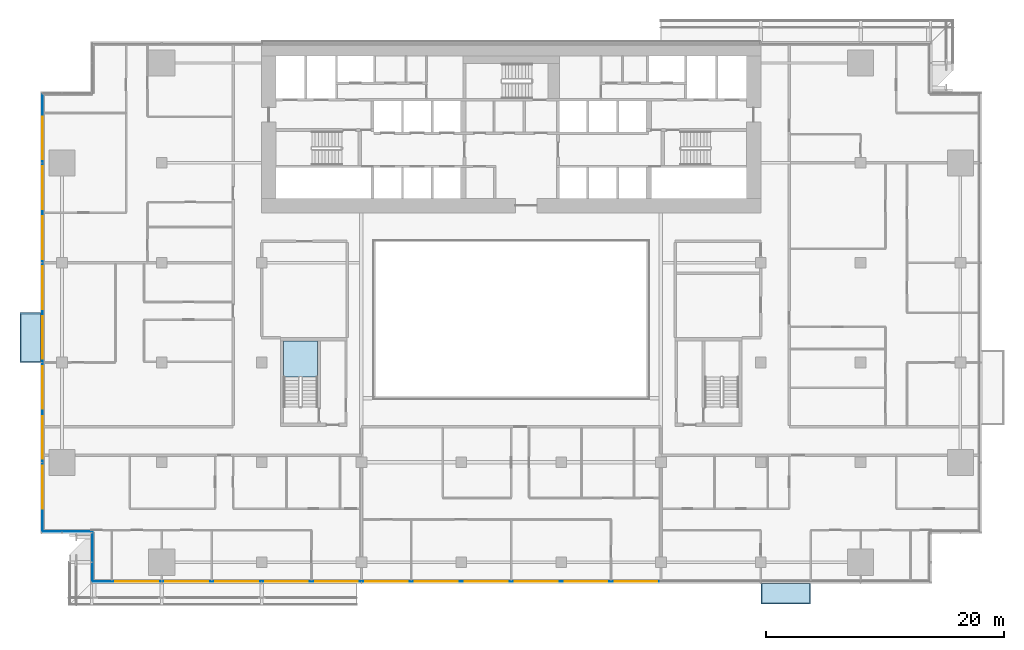
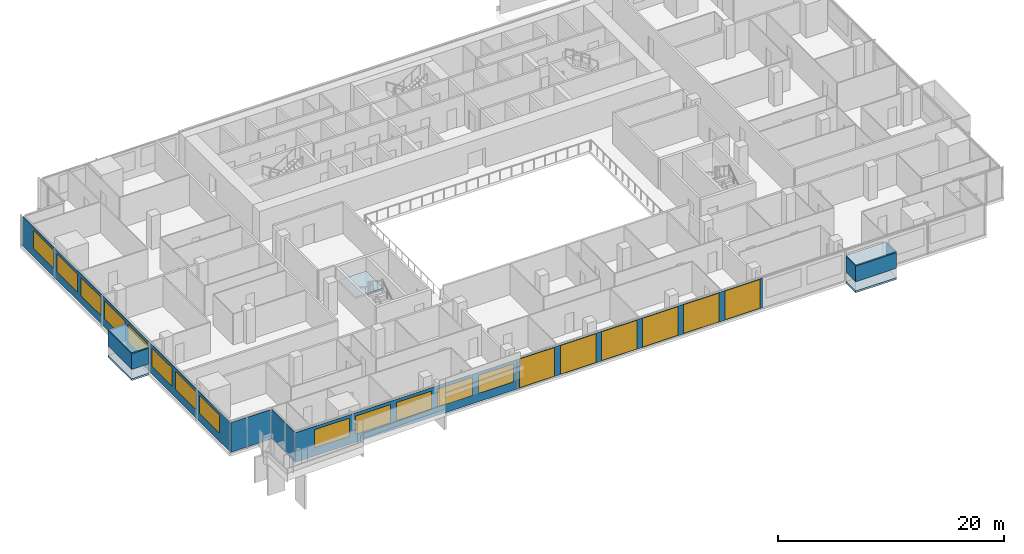
# One storey, part 14 of 29: 19 windows, 9 plates, 3 slabs, 19 openings, 5 elements without a shape of their own.
"""IFC4 building model written with IfcOpenShell, lengths in metres."""

import ifcopenshell
import ifcopenshell.guid

model = None  # the IFC model being written
_history = None  # IfcOwnerHistory: only IFC2X3 demands one
_inside = {}  # id of a spatial element -> (the spatial element, [elements in it])
_under = {}  # id of a project, library or spatial element -> (it, [spatial elements below it])
_declared = {}  # id of a project -> (the project, [libraries it declares])
_typed = {}  # id of a type object -> (the type object, [elements of that type])
_made_of = {}  # id of a material, layer set ... -> (it, [elements and type objects made of it])


def new_model(schema):
    """Start an empty IFC model of exactly this schema.

    Asked for "IFC4X3", IfcOpenShell would pick the latest addendum, in which some entities
    have other attributes; the version numbers below select the first issue.
    IFC2X3 requires an IfcOwnerHistory on every rooted entity: one is made here for all.
    """
    global model, _history
    if schema == "IFC4X3":
        model = ifcopenshell.file(schema_version=(4, 3, 0, 0))
    else:
        model = ifcopenshell.file(schema=schema)
    _inside.clear()
    _under.clear()
    _declared.clear()
    _typed.clear()
    _made_of.clear()
    _history = None
    if model.schema == "IFC2X3":
        org = make("IfcOrganization", Name="unknown")
        user = make(
            "IfcPersonAndOrganization",
            ThePerson=make("IfcPerson", FamilyName="unknown"),
            TheOrganization=org,
        )
        app = make(
            "IfcApplication",
            ApplicationDeveloper=org,
            Version="unknown",
            ApplicationFullName="unknown",
            ApplicationIdentifier="unknown",
        )
        _history = make(
            "IfcOwnerHistory",
            OwningUser=user,
            OwningApplication=app,
            ChangeAction="ADDED",
            CreationDate=0,
        )
    return model


def make(cls, **values):
    """One entity of the class cls with the attributes given. An attribute that is None is left unset."""
    return model.create_entity(
        cls, **{name: value for name, value in values.items() if value is not None}
    )


def rooted(cls, **values):
    """An entity with a GlobalId (a new one), such as an element, a storey or a relation."""
    return make(cls, GlobalId=ifcopenshell.guid.new(), OwnerHistory=_history, **values)


def si_unit(unit_type, name, prefix=None):
    """IfcSIUnit, for example si_unit("LENGTHUNIT", "METRE", prefix="MILLI")."""
    return make("IfcSIUnit", UnitType=unit_type, Prefix=prefix, Name=name)


def assignment(units):
    """IfcUnitAssignment: the units of a project."""
    return None if units is None else make("IfcUnitAssignment", Units=units)


def point(xyz):
    """IfcCartesianPoint."""
    return None if xyz is None else make("IfcCartesianPoint", Coordinates=xyz)


def direction(xyz):
    """IfcDirection."""
    return None if xyz is None else make("IfcDirection", DirectionRatios=xyz)


def frame(location, z_axis=None, x_axis=None):
    """IfcAxis2Placement3D, a coordinate frame: its origin and axes. An axis left out is left unset."""
    return make(
        "IfcAxis2Placement3D",
        Location=point(location),
        Axis=direction(z_axis),
        RefDirection=direction(x_axis),
    )


def frame_2d(location, x_axis=None):
    """IfcAxis2Placement2D, a coordinate frame in the plane: its origin and x axis."""
    return make(
        "IfcAxis2Placement2D", Location=point(location), RefDirection=direction(x_axis)
    )


def origin():
    """The frame at (0, 0, 0) with its axes left unset."""
    return frame((0.0, 0.0, 0.0))


def place(relative_to, where):
    """IfcLocalPlacement: puts the frame where relative to a parent placement (None: the world)."""
    return make(
        "IfcLocalPlacement", PlacementRelTo=relative_to, RelativePlacement=where
    )


def context(
    kind, dimensions, precision=None, world=None, true_north=None, identifier=None
):
    """IfcGeometricRepresentationContext, for example the 3D "Model" context."""
    return make(
        "IfcGeometricRepresentationContext",
        ContextIdentifier=identifier,
        ContextType=kind,
        CoordinateSpaceDimension=dimensions,
        Precision=precision,
        WorldCoordinateSystem=world,
        TrueNorth=true_north,
    )


def subcontext(parent, identifier, kind, view, scale=None):
    """IfcGeometricRepresentationSubContext, for example "Body" below "Model"."""
    return make(
        "IfcGeometricRepresentationSubContext",
        ContextIdentifier=identifier,
        ContextType=kind,
        ParentContext=parent,
        TargetScale=scale,
        TargetView=view,
    )


def project(units=None, contexts=None):
    """IfcProject with its units and contexts."""
    return rooted(
        "IfcProject",
        Name="project",
        RepresentationContexts=contexts,
        UnitsInContext=assignment(units),
    )


def spatial(cls, under=None, at=None, **own):
    """A site, building, storey or space (cls), placed at a placement, below another one or the project."""
    s = rooted(cls, ObjectPlacement=at, **own)
    if under is not None:
        _under.setdefault(under.id(), (under, []))[1].append(s)
    return s


def polyline(points):
    """IfcPolyline through the points."""
    return make("IfcPolyline", Points=[point(p) for p in points])


def profile(cls, at=None, kind="AREA", **sizes):
    """A parametric profile (cls). Its sizes go by their IFC names, for example OverallWidth=200.0."""
    return make(cls, ProfileType=kind, Position=at, **sizes)


def rectangle(**sizes):
    """IfcRectangleProfileDef."""
    return profile("IfcRectangleProfileDef", **sizes)


def outline(outer, holes=None, kind="AREA"):
    """IfcArbitraryClosedProfileDef: a profile drawn as a closed curve; with holes, ...WithVoids."""
    if holes is None:
        return make("IfcArbitraryClosedProfileDef", ProfileType=kind, OuterCurve=outer)
    return make(
        "IfcArbitraryProfileDefWithVoids",
        ProfileType=kind,
        OuterCurve=outer,
        InnerCurves=holes,
    )


def extrude(swept, where, along, depth):
    """IfcExtrudedAreaSolid: the profile swept, set in the frame where, extruded along a direction by depth."""
    return make(
        "IfcExtrudedAreaSolid",
        SweptArea=swept,
        Position=where,
        ExtrudedDirection=direction(along),
        Depth=depth,
    )


def shape(context_of_items, identifier, shape_type, items):
    """IfcShapeRepresentation: the items that make up one representation, for example the "Body"."""
    return make(
        "IfcShapeRepresentation",
        ContextOfItems=context_of_items,
        RepresentationIdentifier=identifier,
        RepresentationType=shape_type,
        Items=items,
    )


def material(Name=None, Category=None):
    """IfcMaterial."""
    return make("IfcMaterial", Name=Name, Category=Category)


def layer(
    of_material, thickness, ventilated=None, Name=None, Category=None, Priority=None
):
    """IfcMaterialLayer: one layer of a wall or slab, of a material (None: an air gap)."""
    return make(
        "IfcMaterialLayer",
        Material=of_material,
        LayerThickness=thickness,
        IsVentilated=ventilated,
        Name=Name,
        Category=Category,
        Priority=Priority,
    )


def layer_set(layers, Name=None):
    """IfcMaterialLayerSet."""
    return make("IfcMaterialLayerSet", MaterialLayers=layers, LayerSetName=Name)


def made_of(thing, what):
    """Note that an element or type object is made of a material, layer set ...; save() writes the relation."""
    if what is not None:
        _made_of.setdefault(what.id(), (what, []))[1].append(thing)
    return thing


def type_object(cls, material=None, **own):
    """A type object (cls), such as IfcWallType, which elements share."""
    return made_of(rooted(cls, **own), material)


def element(
    cls,
    number,
    at=None,
    inside=None,
    cuts=None,
    type_object=None,
    material=None,
    context=None,
    identifier="Body",
    shape_type=None,
    held_by="IfcProductDefinitionShape",
    body=None,
    shapes=None,
    **own,
):
    """One element of the class cls, such as IfcWall. Its Tag is "e" and its number.

    at: its placement. inside: the storey or other place that contains it. cuts: it is an
    opening in that element (IfcRelVoidsElement). A single representation is given by context,
    identifier, shape_type and body (its items); several are given by shapes. held_by: the class
    of the entity that holds the representations. save() writes the other relations.
    """
    e = rooted(cls, Tag="e%d" % number, ObjectPlacement=at, **own)
    if body is not None:
        shapes = [shape(context, identifier, shape_type, body)]
    if shapes is not None:
        e.Representation = make(held_by, Representations=shapes)
    if inside is not None:
        _inside.setdefault(inside.id(), (inside, []))[1].append(e)
    if cuts is not None:
        rooted(
            "IfcRelVoidsElement", RelatingBuildingElement=cuts, RelatedOpeningElement=e
        )
    if type_object is not None:
        _typed.setdefault(type_object.id(), (type_object, []))[1].append(e)
    return made_of(e, material)


def fill(opening, filler):
    """IfcRelFillsElement: the door or window that sits in an opening."""
    return rooted(
        "IfcRelFillsElement",
        RelatingOpeningElement=opening,
        RelatedBuildingElement=filler,
    )


def aggregate(whole, parts):
    """IfcRelAggregates: a whole, such as a stair, and the parts it consists of."""
    return rooted("IfcRelAggregates", RelatingObject=whole, RelatedObjects=parts)


def save(model, path):
    """Write the relations noted so far, then the file.

    IfcRelAggregates (storeys below a building ...), IfcRelContainedInSpatialStructure (elements
    in a storey), IfcRelDefinesByType, IfcRelAssociatesMaterial and IfcRelDeclares: one each for
    every whole, place, type object, material and project.
    """
    for whole, parts in _under.values():
        aggregate(whole, parts)
    for where, things in _inside.values():
        rooted(
            "IfcRelContainedInSpatialStructure",
            RelatedElements=things,
            RelatingStructure=where,
        )
    for kind, things in _typed.values():
        rooted("IfcRelDefinesByType", RelatedObjects=things, RelatingType=kind)
    for what, things in _made_of.values():
        rooted("IfcRelAssociatesMaterial", RelatedObjects=things, RelatingMaterial=what)
    for by, libraries in _declared.values():
        rooted("IfcRelDeclares", RelatingContext=by, RelatedDefinitions=libraries)
    model.write(path)


model = new_model("IFC4")

# Units and contexts
model_context = context("Model", 3, precision=1e-05, world=origin(), true_north=direction((0.0, 1.0)))
body_context = subcontext(model_context, "Body", "Model", "MODEL_VIEW")
ifc_project = project(units=[si_unit("LENGTHUNIT", "METRE"), si_unit("AREAUNIT", "SQUARE_METRE"), si_unit("VOLUMEUNIT", "CUBIC_METRE"), si_unit("PLANEANGLEUNIT", "RADIAN"), si_unit("MASSUNIT", "GRAM", prefix="KILO")], contexts=[model_context])

# Site, building, storey
site_placement = place(None, origin())
site = spatial("IfcSite", under=ifc_project, at=site_placement, CompositionType="ELEMENT")
building_placement = place(site_placement, origin())
building = spatial("IfcBuilding", under=site, at=building_placement, Name="Saffron Gate Tower", CompositionType="ELEMENT")
storey_placement = place(building_placement, frame((0.0, 0.0, 58.800048828125)))
storey = spatial("IfcBuildingStorey", under=building, at=storey_placement, Name="L13", CompositionType="ELEMENT", Elevation=58.800048828125)

# Curtain wall, plates, openings, windows
ifc_material_1 = material(Name="Aluminium, bronze anodised", Category="aluminium")
curtain_wall_type_1 = type_object("IfcCurtainWallType", Name="CWS1 curtain wall front facade", PredefinedType="NOTDEFINED", material=ifc_material_1)
curtain_wall_1_placement = place(storey_placement, origin())
curtain_wall_1 = element("IfcCurtainWall", 1, at=curtain_wall_1_placement, inside=storey, type_object=curtain_wall_type_1, Name="CWS1 run 1", PredefinedType="NOTDEFINED")
ifc_material_2 = material(Name="Clear low-iron laminated glass", Category="glass")
ifc_layer_1 = layer(ifc_material_2, 0.028076171875)
ifc_layer_set_1 = layer_set([ifc_layer_1], Name="CWS1 clear glass")
plate_type_1 = type_object("IfcPlateType", Name="CWS1 clear glass", PredefinedType="CURTAIN_PANEL", material=ifc_layer_set_1)
plate_1_placement = place(storey_placement, frame((75.030029296875, 30.174072265625, 0.0), z_axis=(0.0, 0.0, 1.0), x_axis=(1.0, 0.0, 0.0)))
plate_1 = element("IfcPlate", 2, at=plate_1_placement, type_object=plate_type_1, Name="CWS1 clear glass panel", PredefinedType="CURTAIN_PANEL", context=body_context, shape_type="SweptSolid", body=[
    extrude(rectangle(XDim=25.139892578125, YDim=0.028076171875, at=frame_2d((12.56982421875, 0.0))), origin(), (0.0, 0.0, 1.0), 3.199951171875),
])
opening_1_placement = place(plate_1_placement, frame((0.27001953125, 0.0, 0.050048828125)))
opening_1 = element("IfcOpeningElement", 3, at=opening_1_placement, cuts=plate_1, Name="Opening WA", PredefinedType="OPENING", context=body_context, shape_type="SweptSolid", body=[
    extrude(rectangle(XDim=3.60009765625, YDim=3.10009765625, at=frame_2d((1.800048828125, 1.550048828125))), frame((0.0, 0.02392578125, 0.0), z_axis=(0.0, -1.0, 0.0), x_axis=(1.0, 0.0, 0.0)), (0.0, 0.0, 1.0), 0.048095703125),
])
opening_2_placement = place(plate_1_placement, frame((4.469970703125, 0.0, 0.050048828125)))
opening_2 = element("IfcOpeningElement", 4, at=opening_2_placement, cuts=plate_1, Name="Opening WA", PredefinedType="OPENING", context=body_context, shape_type="SweptSolid", body=[
    extrude(rectangle(XDim=3.60009765625, YDim=3.10009765625, at=frame_2d((1.800048828125, 1.550048828125))), frame((0.0, 0.02392578125, 0.0), z_axis=(0.0, -1.0, 0.0), x_axis=(1.0, 0.0, 0.0)), (0.0, 0.0, 1.0), 0.048095703125),
])
opening_3_placement = place(plate_1_placement, frame((8.669921875, 0.0, 0.050048828125)))
opening_3 = element("IfcOpeningElement", 5, at=opening_3_placement, cuts=plate_1, Name="Opening WA", PredefinedType="OPENING", context=body_context, shape_type="SweptSolid", body=[
    extrude(rectangle(XDim=3.60009765625, YDim=3.10009765625, at=frame_2d((1.800048828125, 1.550048828125))), frame((0.0, 0.02392578125, 0.0), z_axis=(0.0, -1.0, 0.0), x_axis=(1.0, 0.0, 0.0)), (0.0, 0.0, 1.0), 0.048095703125),
])
opening_4_placement = place(plate_1_placement, frame((12.8701171875, 0.0, 0.050048828125)))
opening_4 = element("IfcOpeningElement", 6, at=opening_4_placement, cuts=plate_1, Name="Opening WA", PredefinedType="OPENING", context=body_context, shape_type="SweptSolid", body=[
    extrude(rectangle(XDim=3.60009765625, YDim=3.10009765625, at=frame_2d((1.800048828125, 1.550048828125))), frame((0.0, 0.02392578125, 0.0), z_axis=(0.0, -1.0, 0.0), x_axis=(1.0, 0.0, 0.0)), (0.0, 0.0, 1.0), 0.048095703125),
])
opening_5_placement = place(plate_1_placement, frame((17.070068359375, 0.0, 0.050048828125)))
opening_5 = element("IfcOpeningElement", 7, at=opening_5_placement, cuts=plate_1, Name="Opening WA", PredefinedType="OPENING", context=body_context, shape_type="SweptSolid", body=[
    extrude(rectangle(XDim=3.60009765625, YDim=3.10009765625, at=frame_2d((1.800048828125, 1.550048828125))), frame((0.0, 0.02392578125, 0.0), z_axis=(0.0, -1.0, 0.0), x_axis=(1.0, 0.0, 0.0)), (0.0, 0.0, 1.0), 0.048095703125),
])
opening_6_placement = place(plate_1_placement, frame((21.27001953125, 0.0, 0.050048828125)))
opening_6 = element("IfcOpeningElement", 8, at=opening_6_placement, cuts=plate_1, Name="Opening WA", PredefinedType="OPENING", context=body_context, shape_type="SweptSolid", body=[
    extrude(rectangle(XDim=3.60009765625, YDim=3.10009765625, at=frame_2d((1.800048828125, 1.550048828125))), frame((0.0, 0.02392578125, 0.0), z_axis=(0.0, -1.0, 0.0), x_axis=(1.0, 0.0, 0.0)), (0.0, 0.0, 1.0), 0.048095703125),
])
ifc_material_3 = material(Name="Clear low-iron laminated glass in bronze frame", Category="glass")
ifc_layer_2 = layer(ifc_material_3, 0.06005859375)
ifc_layer_set_2 = layer_set([ifc_layer_2], Name="WA operable atrium unit 3600x3100")
window_type_1 = type_object("IfcWindowType", Name="WA operable atrium unit 3600x3100", PartitioningType="DOUBLE_PANEL_HORIZONTAL", PredefinedType="WINDOW", material=ifc_layer_set_2)
window_1_placement = place(opening_1_placement, origin())
window_1 = element("IfcWindow", 9, at=window_1_placement, type_object=window_type_1, Name="WA operable atrium unit", OverallHeight=3.10009765625, OverallWidth=3.60009765625, PartitioningType="SINGLE_PANEL", PredefinedType="WINDOW", context=body_context, shape_type="SweptSolid", body=[
    extrude(rectangle(XDim=3.60009765625, YDim=3.10009765625, at=frame_2d((1.800048828125, 1.550048828125))), frame((0.0, 0.013671875, 0.0), z_axis=(0.0, -1.0, 0.0), x_axis=(1.0, 0.0, 0.0)), (0.0, 0.0, 1.0), 0.027587890625),
])
fill(opening_1, window_1)
window_2_placement = place(opening_2_placement, origin())
window_2 = element("IfcWindow", 10, at=window_2_placement, type_object=window_type_1, Name="WA operable atrium unit", OverallHeight=3.10009765625, OverallWidth=3.60009765625, PartitioningType="SINGLE_PANEL", PredefinedType="WINDOW", context=body_context, shape_type="SweptSolid", body=[
    extrude(rectangle(XDim=3.60009765625, YDim=3.10009765625, at=frame_2d((1.800048828125, 1.550048828125))), frame((0.0, 0.013671875, 0.0), z_axis=(0.0, -1.0, 0.0), x_axis=(1.0, 0.0, 0.0)), (0.0, 0.0, 1.0), 0.027587890625),
])
fill(opening_2, window_2)
window_3_placement = place(opening_3_placement, origin())
window_3 = element("IfcWindow", 11, at=window_3_placement, type_object=window_type_1, Name="WA operable atrium unit", OverallHeight=3.10009765625, OverallWidth=3.60009765625, PartitioningType="SINGLE_PANEL", PredefinedType="WINDOW", context=body_context, shape_type="SweptSolid", body=[
    extrude(rectangle(XDim=3.60009765625, YDim=3.10009765625, at=frame_2d((1.800048828125, 1.550048828125))), frame((0.0, 0.013671875, 0.0), z_axis=(0.0, -1.0, 0.0), x_axis=(1.0, 0.0, 0.0)), (0.0, 0.0, 1.0), 0.027587890625),
])
fill(opening_3, window_3)
window_4_placement = place(opening_4_placement, origin())
window_4 = element("IfcWindow", 12, at=window_4_placement, type_object=window_type_1, Name="WA operable atrium unit", OverallHeight=3.10009765625, OverallWidth=3.60009765625, PartitioningType="SINGLE_PANEL", PredefinedType="WINDOW", context=body_context, shape_type="SweptSolid", body=[
    extrude(rectangle(XDim=3.60009765625, YDim=3.10009765625, at=frame_2d((1.800048828125, 1.550048828125))), frame((0.0, 0.013671875, 0.0), z_axis=(0.0, -1.0, 0.0), x_axis=(1.0, 0.0, 0.0)), (0.0, 0.0, 1.0), 0.027587890625),
])
fill(opening_4, window_4)
window_5_placement = place(opening_5_placement, origin())
window_5 = element("IfcWindow", 13, at=window_5_placement, type_object=window_type_1, Name="WA operable atrium unit", OverallHeight=3.10009765625, OverallWidth=3.60009765625, PartitioningType="SINGLE_PANEL", PredefinedType="WINDOW", context=body_context, shape_type="SweptSolid", body=[
    extrude(rectangle(XDim=3.60009765625, YDim=3.10009765625, at=frame_2d((1.800048828125, 1.550048828125))), frame((0.0, 0.013671875, 0.0), z_axis=(0.0, -1.0, 0.0), x_axis=(1.0, 0.0, 0.0)), (0.0, 0.0, 1.0), 0.027587890625),
])
fill(opening_5, window_5)
window_6_placement = place(opening_6_placement, origin())
window_6 = element("IfcWindow", 14, at=window_6_placement, type_object=window_type_1, Name="WA operable atrium unit", OverallHeight=3.10009765625, OverallWidth=3.60009765625, PartitioningType="SINGLE_PANEL", PredefinedType="WINDOW", context=body_context, shape_type="SweptSolid", body=[
    extrude(rectangle(XDim=3.60009765625, YDim=3.10009765625, at=frame_2d((1.800048828125, 1.550048828125))), frame((0.0, 0.013671875, 0.0), z_axis=(0.0, -1.0, 0.0), x_axis=(1.0, 0.0, 0.0)), (0.0, 0.0, 1.0), 0.027587890625),
])
fill(opening_6, window_6)
ifc_material_4 = material(Name="Fritted bronze-tinted laminated glass", Category="glass")
ifc_layer_3 = layer(ifc_material_4, 0.028076171875)
ifc_layer_set_3 = layer_set([ifc_layer_3], Name="CWS1 fixed glass")
plate_type_2 = type_object("IfcPlateType", Name="CWS1 fixed glass", PredefinedType="CURTAIN_PANEL", material=ifc_layer_set_3)
plate_2_placement = place(storey_placement, frame((52.387939453125, 30.174072265625, 0.0), z_axis=(0.0, 0.0, 1.0), x_axis=(1.0, 0.0, 0.0)))
plate_2 = element("IfcPlate", 15, at=plate_2_placement, type_object=plate_type_2, Name="CWS1 glass panel", PredefinedType="CURTAIN_PANEL", context=body_context, shape_type="SweptSolid", body=[
    extrude(rectangle(XDim=22.64208984375, YDim=0.028076171875, at=frame_2d((11.321044921875, 0.0))), origin(), (0.0, 0.0, 1.0), 3.199951171875),
])
opening_7_placement = place(plate_2_placement, frame((1.912109375, 0.0, 0.89990234375)))
opening_7 = element("IfcOpeningElement", 16, at=opening_7_placement, cuts=plate_2, Name="Opening W1", PredefinedType="OPENING", context=body_context, shape_type="SweptSolid", body=[
    extrude(rectangle(XDim=3.60009765625, YDim=1.949951171875, at=frame_2d((1.800048828125, 0.97509765625))), frame((0.0, 0.02392578125, 0.0), z_axis=(0.0, -1.0, 0.0), x_axis=(1.0, 0.0, 0.0)), (0.0, 0.0, 1.0), 0.048095703125),
])
opening_8_placement = place(plate_2_placement, frame((6.112060546875, 0.0, 0.89990234375)))
opening_8 = element("IfcOpeningElement", 17, at=opening_8_placement, cuts=plate_2, Name="Opening W1", PredefinedType="OPENING", context=body_context, shape_type="SweptSolid", body=[
    extrude(rectangle(XDim=3.60009765625, YDim=1.949951171875, at=frame_2d((1.800048828125, 0.97509765625))), frame((0.0, 0.02392578125, 0.0), z_axis=(0.0, -1.0, 0.0), x_axis=(1.0, 0.0, 0.0)), (0.0, 0.0, 1.0), 0.048095703125),
])
opening_9_placement = place(plate_2_placement, frame((10.31201171875, 0.0, 0.89990234375)))
opening_9 = element("IfcOpeningElement", 18, at=opening_9_placement, cuts=plate_2, Name="Opening W1", PredefinedType="OPENING", context=body_context, shape_type="SweptSolid", body=[
    extrude(rectangle(XDim=3.60009765625, YDim=1.949951171875, at=frame_2d((1.800048828125, 0.97509765625))), frame((0.0, 0.02392578125, 0.0), z_axis=(0.0, -1.0, 0.0), x_axis=(1.0, 0.0, 0.0)), (0.0, 0.0, 1.0), 0.048095703125),
])
opening_10_placement = place(plate_2_placement, frame((14.511962890625, 0.0, 0.89990234375)))
opening_10 = element("IfcOpeningElement", 19, at=opening_10_placement, cuts=plate_2, Name="Opening W1", PredefinedType="OPENING", context=body_context, shape_type="SweptSolid", body=[
    extrude(rectangle(XDim=3.60009765625, YDim=1.949951171875, at=frame_2d((1.800048828125, 0.97509765625))), frame((0.0, 0.02392578125, 0.0), z_axis=(0.0, -1.0, 0.0), x_axis=(1.0, 0.0, 0.0)), (0.0, 0.0, 1.0), 0.048095703125),
])
opening_11_placement = place(plate_2_placement, frame((18.7119140625, 0.0, 0.89990234375)))
opening_11 = element("IfcOpeningElement", 20, at=opening_11_placement, cuts=plate_2, Name="Opening W1", PredefinedType="OPENING", context=body_context, shape_type="SweptSolid", body=[
    extrude(rectangle(XDim=3.60009765625, YDim=1.949951171875, at=frame_2d((1.800048828125, 0.97509765625))), frame((0.0, 0.02392578125, 0.0), z_axis=(0.0, -1.0, 0.0), x_axis=(1.0, 0.0, 0.0)), (0.0, 0.0, 1.0), 0.048095703125),
])
ifc_material_5 = material(Name="Fritted bronze-tinted laminated glass in bronze frame", Category="glass")
ifc_layer_4 = layer(ifc_material_5, 0.06005859375)
ifc_layer_set_4 = layer_set([ifc_layer_4], Name="W1 operable panel 3600x1950")
window_type_2 = type_object("IfcWindowType", Name="W1 operable panel 3600x1950", PartitioningType="DOUBLE_PANEL_HORIZONTAL", PredefinedType="WINDOW", material=ifc_layer_set_4)
window_7_placement = place(opening_7_placement, origin())
window_7 = element("IfcWindow", 21, at=window_7_placement, type_object=window_type_2, Name="W1 operable panel", OverallHeight=1.949951171875, OverallWidth=3.60009765625, PartitioningType="SINGLE_PANEL", PredefinedType="WINDOW", context=body_context, shape_type="SweptSolid", body=[
    extrude(rectangle(XDim=3.60009765625, YDim=1.949951171875, at=frame_2d((1.800048828125, 0.97509765625))), frame((0.0, 0.013671875, 0.0), z_axis=(0.0, -1.0, 0.0), x_axis=(1.0, 0.0, 0.0)), (0.0, 0.0, 1.0), 0.027587890625),
])
fill(opening_7, window_7)
window_8_placement = place(opening_8_placement, origin())
window_8 = element("IfcWindow", 22, at=window_8_placement, type_object=window_type_2, Name="W1 operable panel", OverallHeight=1.949951171875, OverallWidth=3.60009765625, PartitioningType="SINGLE_PANEL", PredefinedType="WINDOW", context=body_context, shape_type="SweptSolid", body=[
    extrude(rectangle(XDim=3.60009765625, YDim=1.949951171875, at=frame_2d((1.800048828125, 0.97509765625))), frame((0.0, 0.013671875, 0.0), z_axis=(0.0, -1.0, 0.0), x_axis=(1.0, 0.0, 0.0)), (0.0, 0.0, 1.0), 0.027587890625),
])
fill(opening_8, window_8)
window_9_placement = place(opening_9_placement, origin())
window_9 = element("IfcWindow", 23, at=window_9_placement, type_object=window_type_2, Name="W1 operable panel", OverallHeight=1.949951171875, OverallWidth=3.60009765625, PartitioningType="SINGLE_PANEL", PredefinedType="WINDOW", context=body_context, shape_type="SweptSolid", body=[
    extrude(rectangle(XDim=3.60009765625, YDim=1.949951171875, at=frame_2d((1.800048828125, 0.97509765625))), frame((0.0, 0.013671875, 0.0), z_axis=(0.0, -1.0, 0.0), x_axis=(1.0, 0.0, 0.0)), (0.0, 0.0, 1.0), 0.027587890625),
])
fill(opening_9, window_9)
window_10_placement = place(opening_10_placement, origin())
window_10 = element("IfcWindow", 24, at=window_10_placement, type_object=window_type_2, Name="W1 operable panel", OverallHeight=1.949951171875, OverallWidth=3.60009765625, PartitioningType="SINGLE_PANEL", PredefinedType="WINDOW", context=body_context, shape_type="SweptSolid", body=[
    extrude(rectangle(XDim=3.60009765625, YDim=1.949951171875, at=frame_2d((1.800048828125, 0.97509765625))), frame((0.0, 0.013671875, 0.0), z_axis=(0.0, -1.0, 0.0), x_axis=(1.0, 0.0, 0.0)), (0.0, 0.0, 1.0), 0.027587890625),
])
fill(opening_10, window_10)
window_11_placement = place(opening_11_placement, origin())
window_11 = element("IfcWindow", 25, at=window_11_placement, type_object=window_type_2, Name="W1 operable panel", OverallHeight=1.949951171875, OverallWidth=3.60009765625, PartitioningType="SINGLE_PANEL", PredefinedType="WINDOW", context=body_context, shape_type="SweptSolid", body=[
    extrude(rectangle(XDim=3.60009765625, YDim=1.949951171875, at=frame_2d((1.800048828125, 0.97509765625))), frame((0.0, 0.013671875, 0.0), z_axis=(0.0, -1.0, 0.0), x_axis=(1.0, 0.0, 0.0)), (0.0, 0.0, 1.0), 0.027587890625),
])
fill(opening_11, window_11)
aggregate(curtain_wall_1, [plate_2, plate_1, window_7, window_8, window_9, window_10, window_11, window_1, window_2, window_3, window_4, window_5, window_6])

# Curtain wall, plate, openings, windows
curtain_wall_type_2 = type_object("IfcCurtainWallType", Name="CWS2 curtain wall side facades", PredefinedType="NOTDEFINED", material=ifc_material_1)
curtain_wall_2_placement = place(storey_placement, origin())
curtain_wall_2 = element("IfcCurtainWall", 26, at=curtain_wall_2_placement, inside=storey, type_object=curtain_wall_type_2, Name="CWS2 run 10", PredefinedType="NOTDEFINED")
ifc_layer_5 = layer(ifc_material_4, 0.028076171875)
ifc_layer_set_5 = layer_set([ifc_layer_5], Name="CWS2 fixed glass")
plate_type_3 = type_object("IfcPlateType", Name="CWS2 fixed glass", PredefinedType="CURTAIN_PANEL", material=ifc_layer_set_5)
plate_3_placement = place(storey_placement, frame((48.174072265625, 71.2119140625, 0.0), z_axis=(0.0, 0.0, 1.0), x_axis=(0.0, -1.0, 0.0)))
plate_3 = element("IfcPlate", 27, at=plate_3_placement, type_object=plate_type_3, Name="CWS2 glass panel", PredefinedType="CURTAIN_PANEL", context=body_context, shape_type="SweptSolid", body=[
    extrude(rectangle(XDim=36.823974609375, YDim=0.028076171875, at=frame_2d((18.412109375, 0.0))), origin(), (0.0, 0.0, 1.0), 3.199951171875),
])
opening_12_placement = place(plate_3_placement, frame((1.912109375, 0.0, 0.89990234375)))
opening_12 = element("IfcOpeningElement", 28, at=opening_12_placement, cuts=plate_3, Name="Opening W1", PredefinedType="OPENING", context=body_context, shape_type="SweptSolid", body=[
    extrude(rectangle(XDim=3.60009765625, YDim=1.949951171875, at=frame_2d((1.800048828125, 0.97509765625))), frame((0.0, 0.02392578125, 0.0), z_axis=(0.0, -1.0, 0.0), x_axis=(1.0, 0.0, 0.0)), (0.0, 0.0, 1.0), 0.048095703125),
])
opening_13_placement = place(plate_3_placement, frame((6.112060546875, 0.0, 0.89990234375)))
opening_13 = element("IfcOpeningElement", 29, at=opening_13_placement, cuts=plate_3, Name="Opening W1", PredefinedType="OPENING", context=body_context, shape_type="SweptSolid", body=[
    extrude(rectangle(XDim=3.60009765625, YDim=1.949951171875, at=frame_2d((1.800048828125, 0.97509765625))), frame((0.0, 0.02392578125, 0.0), z_axis=(0.0, -1.0, 0.0), x_axis=(1.0, 0.0, 0.0)), (0.0, 0.0, 1.0), 0.048095703125),
])
opening_14_placement = place(plate_3_placement, frame((10.31201171875, 0.0, 0.89990234375)))
opening_14 = element("IfcOpeningElement", 30, at=opening_14_placement, cuts=plate_3, Name="Opening W1", PredefinedType="OPENING", context=body_context, shape_type="SweptSolid", body=[
    extrude(rectangle(XDim=3.60009765625, YDim=1.949951171875, at=frame_2d((1.800048828125, 0.97509765625))), frame((0.0, 0.02392578125, 0.0), z_axis=(0.0, -1.0, 0.0), x_axis=(1.0, 0.0, 0.0)), (0.0, 0.0, 1.0), 0.048095703125),
])
opening_15_placement = place(plate_3_placement, frame((14.511962890625, 0.0, 0.89990234375)))
opening_15 = element("IfcOpeningElement", 31, at=opening_15_placement, cuts=plate_3, Name="Opening W1", PredefinedType="OPENING", context=body_context, shape_type="SweptSolid", body=[
    extrude(rectangle(XDim=3.60009765625, YDim=1.949951171875, at=frame_2d((1.800048828125, 0.97509765625))), frame((0.0, 0.02392578125, 0.0), z_axis=(0.0, -1.0, 0.0), x_axis=(1.0, 0.0, 0.0)), (0.0, 0.0, 1.0), 0.048095703125),
])
opening_16_placement = place(plate_3_placement, frame((18.7119140625, 0.0, 0.89990234375)))
opening_16 = element("IfcOpeningElement", 32, at=opening_16_placement, cuts=plate_3, Name="Opening W1", PredefinedType="OPENING", context=body_context, shape_type="SweptSolid", body=[
    extrude(rectangle(XDim=3.60009765625, YDim=1.949951171875, at=frame_2d((1.800048828125, 0.97509765625))), frame((0.0, 0.02392578125, 0.0), z_axis=(0.0, -1.0, 0.0), x_axis=(1.0, 0.0, 0.0)), (0.0, 0.0, 1.0), 0.048095703125),
])
opening_17_placement = place(plate_3_placement, frame((22.912109375, 0.0, 0.89990234375)))
opening_17 = element("IfcOpeningElement", 33, at=opening_17_placement, cuts=plate_3, Name="Opening W1", PredefinedType="OPENING", context=body_context, shape_type="SweptSolid", body=[
    extrude(rectangle(XDim=3.60009765625, YDim=1.949951171875, at=frame_2d((1.800048828125, 0.97509765625))), frame((0.0, 0.02392578125, 0.0), z_axis=(0.0, -1.0, 0.0), x_axis=(1.0, 0.0, 0.0)), (0.0, 0.0, 1.0), 0.048095703125),
])
opening_18_placement = place(plate_3_placement, frame((27.112060546875, 0.0, 0.89990234375)))
opening_18 = element("IfcOpeningElement", 34, at=opening_18_placement, cuts=plate_3, Name="Opening W1", PredefinedType="OPENING", context=body_context, shape_type="SweptSolid", body=[
    extrude(rectangle(XDim=3.60009765625, YDim=1.949951171875, at=frame_2d((1.800048828125, 0.97509765625))), frame((0.0, 0.02392578125, 0.0), z_axis=(0.0, -1.0, 0.0), x_axis=(1.0, 0.0, 0.0)), (0.0, 0.0, 1.0), 0.048095703125),
])
opening_19_placement = place(plate_3_placement, frame((31.31201171875, 0.0, 0.89990234375)))
opening_19 = element("IfcOpeningElement", 35, at=opening_19_placement, cuts=plate_3, Name="Opening W1", PredefinedType="OPENING", context=body_context, shape_type="SweptSolid", body=[
    extrude(rectangle(XDim=3.60009765625, YDim=1.949951171875, at=frame_2d((1.800048828125, 0.97509765625))), frame((0.0, 0.02392578125, 0.0), z_axis=(0.0, -1.0, 0.0), x_axis=(1.0, 0.0, 0.0)), (0.0, 0.0, 1.0), 0.048095703125),
])
window_12_placement = place(opening_12_placement, origin())
window_12 = element("IfcWindow", 36, at=window_12_placement, type_object=window_type_2, Name="W1 operable panel", OverallHeight=1.949951171875, OverallWidth=3.60009765625, PartitioningType="SINGLE_PANEL", PredefinedType="WINDOW", context=body_context, shape_type="SweptSolid", body=[
    extrude(rectangle(XDim=3.60009765625, YDim=1.949951171875, at=frame_2d((1.800048828125, 0.97509765625))), frame((0.0, 0.013671875, 0.0), z_axis=(0.0, -1.0, 0.0), x_axis=(1.0, 0.0, 0.0)), (0.0, 0.0, 1.0), 0.027587890625),
])
fill(opening_12, window_12)
window_13_placement = place(opening_13_placement, origin())
window_13 = element("IfcWindow", 37, at=window_13_placement, type_object=window_type_2, Name="W1 operable panel", OverallHeight=1.949951171875, OverallWidth=3.60009765625, PartitioningType="SINGLE_PANEL", PredefinedType="WINDOW", context=body_context, shape_type="SweptSolid", body=[
    extrude(rectangle(XDim=3.60009765625, YDim=1.949951171875, at=frame_2d((1.800048828125, 0.97509765625))), frame((0.0, 0.013671875, 0.0), z_axis=(0.0, -1.0, 0.0), x_axis=(1.0, 0.0, 0.0)), (0.0, 0.0, 1.0), 0.027587890625),
])
fill(opening_13, window_13)
window_14_placement = place(opening_14_placement, origin())
window_14 = element("IfcWindow", 38, at=window_14_placement, type_object=window_type_2, Name="W1 operable panel", OverallHeight=1.949951171875, OverallWidth=3.60009765625, PartitioningType="SINGLE_PANEL", PredefinedType="WINDOW", context=body_context, shape_type="SweptSolid", body=[
    extrude(rectangle(XDim=3.60009765625, YDim=1.949951171875, at=frame_2d((1.800048828125, 0.97509765625))), frame((0.0, 0.013671875, 0.0), z_axis=(0.0, -1.0, 0.0), x_axis=(1.0, 0.0, 0.0)), (0.0, 0.0, 1.0), 0.027587890625),
])
fill(opening_14, window_14)
window_15_placement = place(opening_15_placement, origin())
window_15 = element("IfcWindow", 39, at=window_15_placement, type_object=window_type_2, Name="W1 operable panel", OverallHeight=1.949951171875, OverallWidth=3.60009765625, PartitioningType="SINGLE_PANEL", PredefinedType="WINDOW", context=body_context, shape_type="SweptSolid", body=[
    extrude(rectangle(XDim=3.60009765625, YDim=1.949951171875, at=frame_2d((1.800048828125, 0.97509765625))), frame((0.0, 0.013671875, 0.0), z_axis=(0.0, -1.0, 0.0), x_axis=(1.0, 0.0, 0.0)), (0.0, 0.0, 1.0), 0.027587890625),
])
fill(opening_15, window_15)
window_16_placement = place(opening_16_placement, origin())
window_16 = element("IfcWindow", 40, at=window_16_placement, type_object=window_type_2, Name="W1 operable panel", OverallHeight=1.949951171875, OverallWidth=3.60009765625, PartitioningType="SINGLE_PANEL", PredefinedType="WINDOW", context=body_context, shape_type="SweptSolid", body=[
    extrude(rectangle(XDim=3.60009765625, YDim=1.949951171875, at=frame_2d((1.800048828125, 0.97509765625))), frame((0.0, 0.013671875, 0.0), z_axis=(0.0, -1.0, 0.0), x_axis=(1.0, 0.0, 0.0)), (0.0, 0.0, 1.0), 0.027587890625),
])
fill(opening_16, window_16)
window_17_placement = place(opening_17_placement, origin())
window_17 = element("IfcWindow", 41, at=window_17_placement, type_object=window_type_2, Name="W1 operable panel", OverallHeight=1.949951171875, OverallWidth=3.60009765625, PartitioningType="SINGLE_PANEL", PredefinedType="WINDOW", context=body_context, shape_type="SweptSolid", body=[
    extrude(rectangle(XDim=3.60009765625, YDim=1.949951171875, at=frame_2d((1.800048828125, 0.97509765625))), frame((0.0, 0.013671875, 0.0), z_axis=(0.0, -1.0, 0.0), x_axis=(1.0, 0.0, 0.0)), (0.0, 0.0, 1.0), 0.027587890625),
])
fill(opening_17, window_17)
window_18_placement = place(opening_18_placement, origin())
window_18 = element("IfcWindow", 42, at=window_18_placement, type_object=window_type_2, Name="W1 operable panel", OverallHeight=1.949951171875, OverallWidth=3.60009765625, PartitioningType="SINGLE_PANEL", PredefinedType="WINDOW", context=body_context, shape_type="SweptSolid", body=[
    extrude(rectangle(XDim=3.60009765625, YDim=1.949951171875, at=frame_2d((1.800048828125, 0.97509765625))), frame((0.0, 0.013671875, 0.0), z_axis=(0.0, -1.0, 0.0), x_axis=(1.0, 0.0, 0.0)), (0.0, 0.0, 1.0), 0.027587890625),
])
fill(opening_18, window_18)
window_19_placement = place(opening_19_placement, origin())
window_19 = element("IfcWindow", 43, at=window_19_placement, type_object=window_type_2, Name="W1 operable panel", OverallHeight=1.949951171875, OverallWidth=3.60009765625, PartitioningType="SINGLE_PANEL", PredefinedType="WINDOW", context=body_context, shape_type="SweptSolid", body=[
    extrude(rectangle(XDim=3.60009765625, YDim=1.949951171875, at=frame_2d((1.800048828125, 0.97509765625))), frame((0.0, 0.013671875, 0.0), z_axis=(0.0, -1.0, 0.0), x_axis=(1.0, 0.0, 0.0)), (0.0, 0.0, 1.0), 0.027587890625),
])
fill(opening_19, window_19)
aggregate(curtain_wall_2, [plate_3, window_12, window_13, window_14, window_15, window_16, window_17, window_18, window_19])

# Curtain wall, plate
curtain_wall_type_3 = type_object("IfcCurtainWallType", Name="CWS4 curtain wall corner returns", PredefinedType="NOTDEFINED", material=ifc_material_1)
curtain_wall_3_placement = place(storey_placement, origin())
curtain_wall_3 = element("IfcCurtainWall", 44, at=curtain_wall_3_placement, inside=storey, type_object=curtain_wall_type_3, Name="CWS4 run 11", PredefinedType="NOTDEFINED")
ifc_layer_6 = layer(ifc_material_4, 0.028076171875)
ifc_layer_set_6 = layer_set([ifc_layer_6], Name="CWS4 fixed glass")
plate_type_4 = type_object("IfcPlateType", Name="CWS4 fixed glass", PredefinedType="CURTAIN_PANEL", material=ifc_layer_set_6)
plate_4_placement = place(storey_placement, frame((48.18798828125, 34.3740234375, 0.0), z_axis=(0.0, 0.0, 1.0), x_axis=(1.0, 0.0, 0.0)))
plate_4 = element("IfcPlate", 45, at=plate_4_placement, type_object=plate_type_4, Name="CWS4 glass panel", PredefinedType="CURTAIN_PANEL", context=body_context, shape_type="SweptSolid", body=[
    extrude(rectangle(XDim=4.172119140625, YDim=0.028076171875, at=frame_2d((2.0859375, 0.0))), origin(), (0.0, 0.0, 1.0), 3.199951171875),
])
aggregate(curtain_wall_3, [plate_4])

curtain_wall_4_placement = place(storey_placement, origin())
curtain_wall_4 = element("IfcCurtainWall", 46, at=curtain_wall_4_placement, inside=storey, type_object=curtain_wall_type_3, Name="CWS4 run 12", PredefinedType="NOTDEFINED")
plate_5_placement = place(storey_placement, frame((52.3740234375, 34.360107421875, 0.0), z_axis=(0.0, 0.0, 1.0), x_axis=(0.0, -1.0, 0.0)))
plate_5 = element("IfcPlate", 47, at=plate_5_placement, type_object=plate_type_4, Name="CWS4 glass panel", PredefinedType="CURTAIN_PANEL", context=body_context, shape_type="SweptSolid", body=[
    extrude(rectangle(XDim=4.172119140625, YDim=0.028076171875, at=frame_2d((2.0859375, 0.0))), origin(), (0.0, 0.0, 1.0), 3.199951171875),
])
aggregate(curtain_wall_4, [plate_5])

# Stair, slab
ifc_material_6 = material(Name="Concrete C40", Category="concrete")
stair_type = type_object("IfcStairType", Name="ST7 Stair 1350 wide, 20 risers of 180", PredefinedType="HALF_TURN_STAIR", material=ifc_material_6)
stair_placement = place(storey_placement, origin())
stair = element("IfcStair", 48, at=stair_placement, inside=storey, type_object=stair_type, Name="L13 Exit stair D", PredefinedType="HALF_TURN_STAIR")
ifc_layer_7 = layer(ifc_material_6, 0.199951171875)
ifc_layer_set_7 = layer_set([ifc_layer_7], Name="SL1 Stair landing 200")
slab_type_1 = type_object("IfcSlabType", Name="SL1 Stair landing 200", PredefinedType="LANDING", material=ifc_layer_set_7)
slab_1_placement = place(storey_placement, frame((0.0, 0.0, 1.599853515625)))
slab_1 = element("IfcSlab", 49, at=slab_1_placement, type_object=slab_type_1, Name="ST-D landing 1", PredefinedType="LANDING", context=body_context, shape_type="SweptSolid", body=[
    extrude(outline(polyline([(71.300048828125, 47.3701171875), (71.300048828125, 50.39990234375), (68.449951171875, 50.39990234375), (68.449951171875, 47.3701171875), (71.300048828125, 47.3701171875)])), origin(), (0.0, 0.0, 1.0), 0.2001953125),
])
aggregate(stair, [slab_1])

# Slabs
ifc_material_7 = material(Name="Timber deck on bronze frame", Category="wood")
ifc_layer_8 = layer(ifc_material_7, 0.199951171875)
ifc_layer_set_8 = layer_set([ifc_layer_8], Name="WB1 box floor")
slab_type_2 = type_object("IfcSlabType", Name="WB1 box floor", PredefinedType="FLOOR", material=ifc_layer_set_8)
slab_2_placement = place(storey_placement, frame((0.0, 0.0, -0.199951171875)))
element("IfcSlab", 50, at=slab_2_placement, inside=storey, type_object=slab_type_2, Name="WINDOW BOX floor", PredefinedType="FLOOR", context=body_context, shape_type="SweptSolid", body=[
    extrude(outline(polyline([(108.60009765625, 30.0), (112.800048828125, 30.0), (112.800048828125, 28.26708984375), (108.60009765625, 28.26708984375), (108.60009765625, 30.0)])), origin(), (0.0, 0.0, 1.0), 0.199951171875),
])
slab_3_placement = place(storey_placement, frame((0.0, 0.0, -0.199951171875)))
element("IfcSlab", 51, at=slab_3_placement, inside=storey, type_object=slab_type_2, Name="WINDOW BOX floor", PredefinedType="FLOOR", context=body_context, shape_type="SweptSolid", body=[
    extrude(outline(polyline([(48.0, 52.800048828125), (48.0, 48.60009765625), (46.26708984375, 48.60009765625), (46.26708984375, 52.800048828125), (48.0, 52.800048828125)])), origin(), (0.0, 0.0, 1.0), 0.199951171875),
])

# Plates
ifc_layer_9 = layer(ifc_material_1, 0.1201171875)
ifc_layer_set_9 = layer_set([ifc_layer_9], Name="WB2 box roof")
plate_type_5 = type_object("IfcPlateType", Name="WB2 box roof", PredefinedType="SHEET", material=ifc_layer_set_9)
plate_6_placement = place(storey_placement, frame((0.0, 0.0, 2.699951171875)))
element("IfcPlate", 52, at=plate_6_placement, inside=storey, type_object=plate_type_5, Name="WINDOW BOX roof", PredefinedType="SHEET", context=body_context, shape_type="SweptSolid", body=[
    extrude(outline(polyline([(108.60009765625, 30.0), (112.800048828125, 30.0), (112.800048828125, 28.26708984375), (108.60009765625, 28.26708984375), (108.60009765625, 30.0)])), origin(), (0.0, 0.0, 1.0), 0.1201171875),
])
plate_7_placement = place(storey_placement, frame((0.0, 0.0, 2.699951171875)))
element("IfcPlate", 53, at=plate_7_placement, inside=storey, type_object=plate_type_5, Name="WINDOW BOX roof", PredefinedType="SHEET", context=body_context, shape_type="SweptSolid", body=[
    extrude(outline(polyline([(48.0, 52.800048828125), (48.0, 48.60009765625), (46.26708984375, 48.60009765625), (46.26708984375, 52.800048828125), (48.0, 52.800048828125)])), origin(), (0.0, 0.0, 1.0), 0.1201171875),
])
ifc_layer_10 = layer(ifc_material_2, 0.10009765625)
ifc_layer_set_10 = layer_set([ifc_layer_10], Name="WB6 box glazing")
plate_type_6 = type_object("IfcPlateType", Name="WB6 box glazing", PredefinedType="SHEET", material=ifc_layer_set_10)
plate_8_placement = place(storey_placement, frame((0.0, 0.0, 1.0)))
element("IfcPlate", 54, at=plate_8_placement, inside=storey, type_object=plate_type_6, Name="WINDOW BOX glazing", PredefinedType="SHEET", context=body_context, shape_type="SweptSolid", body=[
    extrude(outline(polyline([(108.60009765625, 30.0), (108.699951171875, 30.0), (108.699951171875, 28.366943359375), (112.699951171875, 28.366943359375), (112.699951171875, 30.0), (112.800048828125, 30.0), (112.800048828125, 28.26708984375), (108.60009765625, 28.26708984375), (108.60009765625, 30.0)])), origin(), (0.0, 0.0, 1.0), 1.699951171875),
])
plate_9_placement = place(storey_placement, frame((0.0, 0.0, 1.0)))
element("IfcPlate", 55, at=plate_9_placement, inside=storey, type_object=plate_type_6, Name="WINDOW BOX glazing", PredefinedType="SHEET", context=body_context, shape_type="SweptSolid", body=[
    extrude(outline(polyline([(48.0, 52.800048828125), (48.0, 52.699951171875), (46.366943359375, 52.699951171875), (46.366943359375, 48.699951171875), (48.0, 48.699951171875), (48.0, 48.60009765625), (46.26708984375, 48.60009765625), (46.26708984375, 52.800048828125), (48.0, 52.800048828125)])), origin(), (0.0, 0.0, 1.0), 1.699951171875),
])

save(model, "model.ifc")
